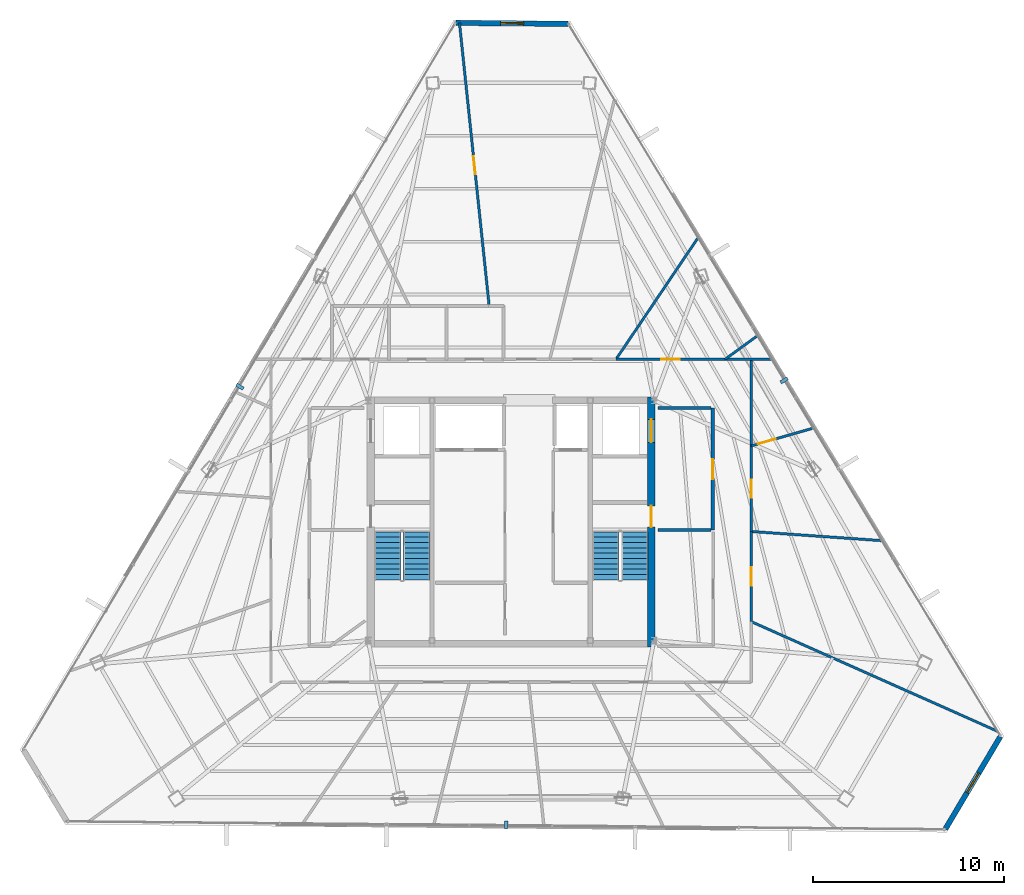
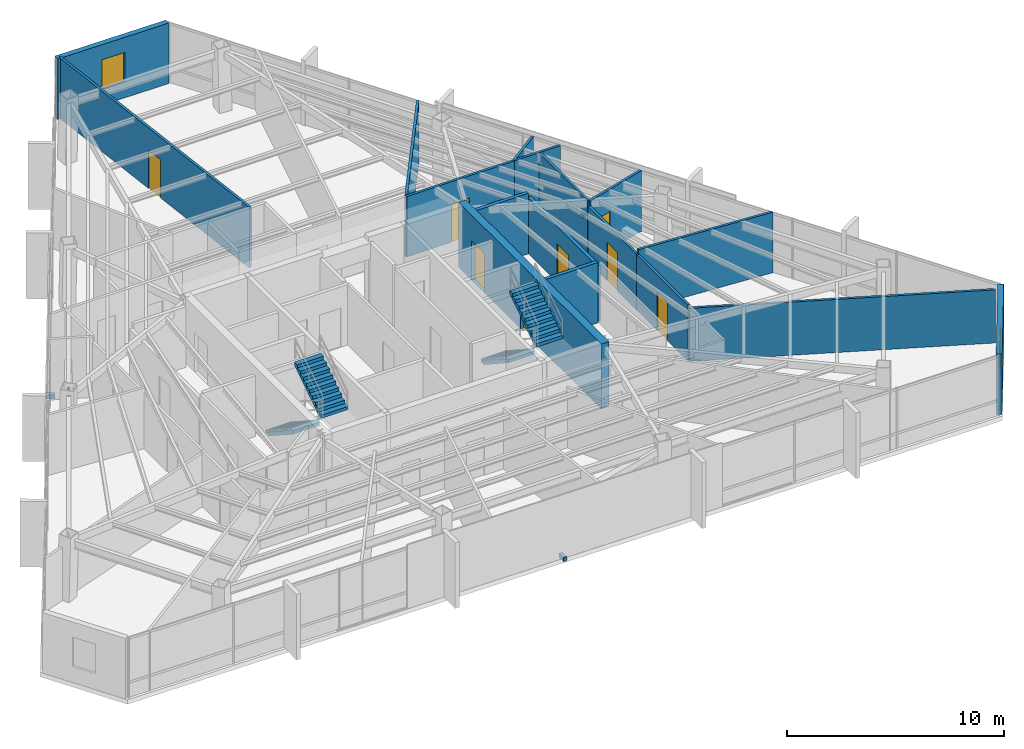
# One storey, part 39 of 42: 17 walls, 8 doors, 4 stair flights, 3 discrete accessories, 2 windows, 10 openings, 2 elements without a shape of their own.
"""IFC4 building model written with IfcOpenShell, lengths in metres."""

from ifc_helpers import new_model, si_unit, direction, frame, frame_2d, origin, origin_2d, place, context, subcontext, project, spatial, polyline, rectangle, outline, extrude, source, transform, mapped, material, layer, layer_set, type_object, type_shapes, element, fill, aggregate, save


model = new_model("IFC4")

# Units and contexts
model_context = context("Model", 3, precision=1e-05, world=origin(), true_north=direction((0.0, 1.0)))
body_context = subcontext(model_context, "Body", "Model", "MODEL_VIEW")
ifc_project = project(units=[si_unit("LENGTHUNIT", "METRE"), si_unit("AREAUNIT", "SQUARE_METRE"), si_unit("VOLUMEUNIT", "CUBIC_METRE"), si_unit("PLANEANGLEUNIT", "RADIAN"), si_unit("MASSUNIT", "GRAM", prefix="KILO")], contexts=[model_context])

# Site, building, storey
site_placement = place(None, origin())
site = spatial("IfcSite", under=ifc_project, at=site_placement, CompositionType="ELEMENT")
building_placement = place(site_placement, origin())
building = spatial("IfcBuilding", under=site, at=building_placement, Name="Caelisora Broadcast Tower", CompositionType="ELEMENT")
storey_placement = place(building_placement, frame((0.0, 0.0, 244.449951171875)))
storey = spatial("IfcBuildingStorey", under=building, at=storey_placement, Name="L64", CompositionType="ELEMENT", Elevation=244.449951171875)

# Wall, openings, doors
ifc_material_1 = material(Name="Concrete 40 MPa (AS 3600 N40)", Category="concrete")
ifc_layer_1 = layer(ifc_material_1, 0.39990234375, Name="Concrete 40 MPa (AS 3600 N40)")
ifc_layer_set_1 = layer_set([ifc_layer_1], Name="Concrete 40 MPa (AS 3600 N40)")
wall_type_1 = type_object("IfcWallType", Name="CW3", PredefinedType="SHEAR", material=ifc_layer_set_1)
wall_1_placement = place(storey_placement, frame((45.360107421875, 17.050048828125, 0.0), z_axis=(0.0, 0.0, 1.0), x_axis=(0.0, 1.0, 0.0)))
wall_1 = element("IfcWall", 1, at=wall_1_placement, inside=storey, type_object=wall_type_1, Name="L64 core shear wall CW3", PredefinedType="SHEAR", context=body_context, shape_type="SweptSolid", body=[
    extrude(rectangle(XDim=13.125, YDim=0.39990234375, at=frame_2d((6.5625, 0.0))), origin(), (0.0, 0.0, 1.0), 3.650146484375),
])
opening_1_placement = place(wall_1_placement, frame((6.300048828125, 0.0, 0.0)))
opening_1 = element("IfcOpeningElement", 2, at=opening_1_placement, cuts=wall_1, Name="Opening FD04", PredefinedType="OPENING", context=body_context, shape_type="SweptSolid", body=[
    extrude(rectangle(XDim=1.1201171875, YDim=2.14990234375, at=frame_2d((0.56005859375, 1.074951171875))), frame((0.0, 0.2119140625, 0.0), z_axis=(0.0, -1.0, 0.0), x_axis=(1.0, 0.0, 0.0)), (0.0, 0.0, 1.0), 0.423828125),
])
opening_2_placement = place(wall_1_placement, frame((10.75, 0.0, 0.0)))
opening_2 = element("IfcOpeningElement", 3, at=opening_2_placement, cuts=wall_1, Name="Opening LD04", PredefinedType="OPENING", context=body_context, shape_type="SweptSolid", body=[
    extrude(rectangle(XDim=1.199951171875, YDim=2.199951171875, at=frame_2d((0.60009765625, 1.10009765625))), frame((0.0, 0.2119140625, 0.0), z_axis=(0.0, -1.0, 0.0), x_axis=(1.0, 0.0, 0.0)), (0.0, 0.0, 1.0), 0.423828125),
])
ifc_material_2 = material(Name="Pressurised Fire-Isolated Stair Door", Category="steel")
door_type_1 = type_object("IfcDoorType", Name="FD04", OperationType="NOTDEFINED", PredefinedType="DOOR", material=ifc_material_2)
door_1_placement = place(opening_1_placement, origin())
door_1 = element("IfcDoor", 4, at=door_1_placement, inside=storey, type_object=door_type_1, Name="L64 door FD04 (L64-DR-ST2)", OperationType="SINGLE_SWING_RIGHT", OverallHeight=2.14990234375, OverallWidth=1.1201171875, PredefinedType="DOOR", context=body_context, shape_type="SweptSolid", body=[
    extrude(rectangle(XDim=1.1201171875, YDim=2.14990234375, at=frame_2d((0.56005859375, 1.074951171875))), frame((0.0, 0.02490234375, 0.0), z_axis=(0.0, -1.0, 0.0), x_axis=(1.0, 0.0, 0.0)), (0.0, 0.0, 1.0), 0.050048828125),
])
fill(opening_1, door_1)
ifc_material_3 = material(Name="Emergency Firefighting Lift Sliding Landing Door", Category="steel")
door_type_2 = type_object("IfcDoorType", Name="LD04", OperationType="NOTDEFINED", PredefinedType="DOOR", material=ifc_material_3)
door_2_placement = place(opening_2_placement, origin())
door_2 = element("IfcDoor", 5, at=door_2_placement, inside=storey, type_object=door_type_2, Name="L64 door LD04 (L64-LD-FFL2)", OperationType="SLIDING_TO_RIGHT", OverallHeight=2.199951171875, OverallWidth=1.199951171875, PredefinedType="DOOR", context=body_context, shape_type="SweptSolid", body=[
    extrude(rectangle(XDim=1.199951171875, YDim=2.199951171875, at=frame_2d((0.60009765625, 1.10009765625))), frame((0.0, 0.02490234375, 0.0), z_axis=(0.0, -1.0, 0.0), x_axis=(1.0, 0.0, 0.0)), (0.0, 0.0, 1.0), 0.050048828125),
])
fill(opening_2, door_2)

# Wall, opening, window
ifc_material_4 = material(Name="Insulated Terracotta Spandrel Wall System", Category="masonry")
ifc_layer_2 = layer(ifc_material_4, 0.280029296875, Name="Insulated Terracotta Spandrel Wall System")
ifc_layer_set_2 = layer_set([ifc_layer_2], Name="Insulated Terracotta Spandrel Wall System")
wall_type_2 = type_object("IfcWallType", Name="EW1", PredefinedType="STANDARD", material=ifc_layer_set_2)
wall_2_placement = place(storey_placement, frame((63.6748046875, 12.358154296875, 0.0), z_axis=(0.0, 0.0, 1.0), x_axis=(-0.511169585521, -0.859479874597, 0.0)))
wall_2 = element("IfcWall", 6, at=wall_2_placement, inside=storey, type_object=wall_type_2, Name="L64 exterior envelope wall EW1", PredefinedType="STANDARD", context=body_context, shape_type="SweptSolid", body=[
    extrude(rectangle(XDim=5.64111328125, YDim=0.280029296875, at=frame_2d((2.820556640625, 0.0))), origin(), (0.0, 0.0, 1.0), 3.400146484375),
])
opening_3_placement = place(wall_2_placement, frame((2.219970703125, 0.0, 0.89990234375)))
opening_3 = element("IfcOpeningElement", 7, at=opening_3_placement, cuts=wall_2, Name="Opening W03", PredefinedType="OPENING", context=body_context, shape_type="SweptSolid", body=[
    extrude(rectangle(XDim=1.199951171875, YDim=1.64990234375, at=frame_2d((0.60009765625, 0.824951171875))), frame((0.0, 0.152099609375, 0.0), z_axis=(0.0, -1.0, 0.0), x_axis=(1.0, 0.0, 0.0)), (0.0, 0.0, 1.0), 0.303955078125),
])
ifc_material_5 = material(Name="Double Glazed Corner Vision Window", Category="glass")
window_type = type_object("IfcWindowType", Name="W03", PartitioningType="SINGLE_PANEL", PredefinedType="WINDOW", material=ifc_material_5)
window_1_placement = place(opening_3_placement, origin())
window_1 = element("IfcWindow", 8, at=window_1_placement, inside=storey, type_object=window_type, Name="L64 window W03 (L64-WN-CH0)", OverallHeight=1.64990234375, OverallWidth=1.199951171875, PartitioningType="SINGLE_PANEL", PredefinedType="WINDOW", context=body_context, shape_type="SweptSolid", body=[
    extrude(rectangle(XDim=1.199951171875, YDim=1.64990234375, at=frame_2d((0.60009765625, 0.824951171875))), frame((0.0, 0.030029296875, 0.0), z_axis=(0.0, -1.0, 0.0), x_axis=(1.0, 0.0, 0.0)), (0.0, 0.0, 1.0), 0.06005859375),
])
fill(opening_3, window_1)

wall_3_placement = place(storey_placement, frame((35.111083984375, 49.809814453125, 0.0), z_axis=(0.0, 0.0, 1.0), x_axis=(0.999960059805, -0.008937493779, 0.0)))
wall_3 = element("IfcWall", 9, at=wall_3_placement, inside=storey, type_object=wall_type_2, Name="L64 exterior envelope wall EW1", PredefinedType="STANDARD", context=body_context, shape_type="SweptSolid", body=[
    extrude(rectangle(XDim=5.873046875, YDim=0.280029296875, at=frame_2d((2.9365234375, 0.0))), origin(), (0.0, 0.0, 1.0), 3.400146484375),
])
opening_4_placement = place(wall_3_placement, frame((2.340087890625, 0.0, 0.89990234375)))
opening_4 = element("IfcOpeningElement", 10, at=opening_4_placement, cuts=wall_3, Name="Opening W03", PredefinedType="OPENING", context=body_context, shape_type="SweptSolid", body=[
    extrude(rectangle(XDim=1.199951171875, YDim=1.64990234375, at=frame_2d((0.60009765625, 0.824951171875))), frame((0.0, 0.152099609375, 0.0), z_axis=(0.0, -1.0, 0.0), x_axis=(1.0, 0.0, 0.0)), (0.0, 0.0, 1.0), 0.303955078125),
])
window_2_placement = place(opening_4_placement, origin())
window_2 = element("IfcWindow", 11, at=window_2_placement, inside=storey, type_object=window_type, Name="L64 window W03 (L64-WN-CH8)", OverallHeight=1.64990234375, OverallWidth=1.199951171875, PartitioningType="SINGLE_PANEL", PredefinedType="WINDOW", context=body_context, shape_type="SweptSolid", body=[
    extrude(rectangle(XDim=1.199951171875, YDim=1.64990234375, at=frame_2d((0.60009765625, 0.824951171875))), frame((0.0, 0.030029296875, 0.0), z_axis=(0.0, -1.0, 0.0), x_axis=(1.0, 0.0, 0.0)), (0.0, 0.0, 1.0), 0.06005859375),
])
fill(opening_4, window_2)

# Wall, opening, door
ifc_material_6 = material(Name="Fire-Rated Gypsum Shaft and Compartment Wall", Category="gypsum")
ifc_layer_3 = layer(ifc_material_6, 0.179931640625, Name="Fire-Rated Gypsum Shaft and Compartment Wall")
ifc_layer_set_3 = layer_set([ifc_layer_3], Name="Fire-Rated Gypsum Shaft and Compartment Wall")
wall_type_3 = type_object("IfcWallType", Name="PW2", PredefinedType="PARTITIONING", material=ifc_layer_set_3)
wall_4_placement = place(storey_placement, frame((48.580078125, 23.199951171875, 0.0), z_axis=(0.0, 0.0, 1.0), x_axis=(0.0, 1.0, 0.0)))
wall_4 = element("IfcWall", 12, at=wall_4_placement, inside=storey, type_object=wall_type_3, Name="L64 fire compartment wall PW2", PredefinedType="PARTITIONING", context=body_context, shape_type="SweptSolid", body=[
    extrude(rectangle(XDim=6.400146484375, YDim=0.179931640625, at=frame_2d((3.2001953125, 0.0))), origin(), (0.0, 0.0, 1.0), 3.12890625),
])
opening_5_placement = place(wall_4_placement, frame((2.64990234375, 0.0, 0.0)))
opening_5 = element("IfcOpeningElement", 13, at=opening_5_placement, cuts=wall_4, Name="Opening FD02", PredefinedType="OPENING", context=body_context, shape_type="SweptSolid", body=[
    extrude(rectangle(XDim=1.050048828125, YDim=2.14990234375, at=frame_2d((0.52490234375, 1.074951171875))), frame((0.0, 0.10205078125, 0.0), z_axis=(0.0, -1.0, 0.0), x_axis=(1.0, 0.0, 0.0)), (0.0, 0.0, 1.0), 0.203857421875),
])
ifc_material_7 = material(Name="Single-Leaf Steel Fire Lobby Door", Category="steel")
door_type_3 = type_object("IfcDoorType", Name="FD02", OperationType="NOTDEFINED", PredefinedType="DOOR", material=ifc_material_7)
door_3_placement = place(opening_5_placement, origin())
door_3 = element("IfcDoor", 14, at=door_3_placement, inside=storey, type_object=door_type_3, Name="L64 door FD02 (L64-DR-P04D1)", OperationType="SINGLE_SWING_RIGHT", OverallHeight=2.14990234375, OverallWidth=1.050048828125, PredefinedType="DOOR", context=body_context, shape_type="SweptSolid", body=[
    extrude(rectangle(XDim=1.050048828125, YDim=2.14990234375, at=frame_2d((0.52490234375, 1.074951171875))), frame((0.0, 0.02490234375, 0.0), z_axis=(0.0, -1.0, 0.0), x_axis=(1.0, 0.0, 0.0)), (0.0, 0.0, 1.0), 0.050048828125),
])
fill(opening_5, door_3)

# Walls
for number, where, z_axis, x_axis, name in (
    (15, (45.719970703125, 23.199951171875, 0.0), (0.0, 0.0, 1.0), (1.0, 0.0, 0.0), "L64 fire compartment wall PW2"),
    (16, (45.719970703125, 29.60009765625, 0.0), (0.0, 0.0, 1.0), (1.0, 0.0, 0.0), "L64 fire compartment wall PW2"),
):
    element("IfcWall", number, at=place(storey_placement, frame(where, z_axis=z_axis, x_axis=x_axis)), inside=storey, type_object=wall_type_3, Name=name, PredefinedType="PARTITIONING", context=body_context, shape_type="SweptSolid", body=[
        extrude(rectangle(XDim=2.760009765625, YDim=0.179931640625, at=frame_2d((1.3798828125, 0.0))), origin(), (0.0, 0.0, 1.0), 3.400146484375),
    ])

# Wall, opening, door
ifc_material_8 = material(Name="Acoustic Steel-Stud Plasterboard Partition", Category="gypsum")
ifc_layer_4 = layer(ifc_material_8, 0.1298828125, Name="Acoustic Steel-Stud Plasterboard Partition")
ifc_layer_set_4 = layer_set([ifc_layer_4], Name="Acoustic Steel-Stud Plasterboard Partition")
wall_type_4 = type_object("IfcWallType", Name="PW3", PredefinedType="PARTITIONING", material=ifc_layer_set_4)
wall_5_placement = place(storey_placement, frame((35.2900390625, 49.813232421875, 0.0), z_axis=(0.0, 0.0, 1.0), x_axis=(0.104358123872, -0.994539784012, 0.0)))
wall_5 = element("IfcWall", 17, at=wall_5_placement, inside=storey, type_object=wall_type_4, Name="L64 internal partition PW3", PredefinedType="PARTITIONING", context=body_context, shape_type="SweptSolid", body=[
    extrude(rectangle(XDim=14.939697265625, YDim=0.1298828125, at=frame_2d((7.4697265625, 0.0))), origin(), (0.0, 0.0, 1.0), 3.400146484375),
])
opening_6_placement = place(wall_5_placement, frame((7.0390625, 0.0, 0.0)))
opening_6 = element("IfcOpeningElement", 18, at=opening_6_placement, cuts=wall_5, Name="Opening D01", PredefinedType="OPENING", context=body_context, shape_type="SweptSolid", body=[
    extrude(rectangle(XDim=0.9599609375, YDim=2.14990234375, at=frame_2d((0.47998046875, 1.074951171875))), frame((0.0, 0.076904296875, 0.0), z_axis=(0.0, -1.0, 0.0), x_axis=(1.0, 0.0, 0.0)), (0.0, 0.0, 1.0), 0.15380859375),
])
ifc_material_9 = material(Name="Solid-Core Timber Acoustic Office Door", Category="wood")
door_type_4 = type_object("IfcDoorType", Name="D01", OperationType="NOTDEFINED", PredefinedType="DOOR", material=ifc_material_9)
door_4_placement = place(opening_6_placement, origin())
door_4 = element("IfcDoor", 19, at=door_4_placement, inside=storey, type_object=door_type_4, Name="L64 door D01 (L64-DR-P26D1)", OperationType="SINGLE_SWING_LEFT", OverallHeight=2.14990234375, OverallWidth=0.9599609375, PredefinedType="DOOR", context=body_context, shape_type="SweptSolid", body=[
    extrude(rectangle(XDim=0.9599609375, YDim=2.14990234375, at=frame_2d((0.47998046875, 1.074951171875))), frame((0.0, 0.02490234375, 0.0), z_axis=(0.0, -1.0, 0.0), x_axis=(1.0, 0.0, 0.0)), (0.0, 0.0, 1.0), 0.050048828125),
])
fill(opening_6, door_4)

# Walls
wall_6_placement = place(storey_placement, frame((50.60498046875, 18.387939453125, 0.0), z_axis=(0.0, 0.0, 1.0), x_axis=(0.913601789638, -0.406610095756, 0.0)))
element("IfcWall", 20, at=wall_6_placement, inside=storey, type_object=wall_type_4, Name="L64 internal partition PW3", PredefinedType="PARTITIONING", context=body_context, shape_type="SweptSolid", body=[
    extrude(rectangle(XDim=14.167236328125, YDim=0.1298828125, at=frame_2d((7.08349609375, 0.0))), origin(), (0.0, 0.0, 1.0), 2.985107421875),
])
wall_7_placement = place(storey_placement, frame((43.5029296875, 32.154052734375, 0.0), z_axis=(0.0, 0.0, 1.0), x_axis=(0.559400582844, 0.828897453195, 0.0)))
element("IfcWall", 21, at=wall_7_placement, inside=storey, type_object=wall_type_4, Name="L64 internal partition PW3", PredefinedType="PARTITIONING", context=body_context, shape_type="SweptSolid", body=[
    extrude(rectangle(XDim=7.716552734375, YDim=0.1298828125, at=frame_2d((3.8583984375, 0.0))), origin(), (0.0, 0.0, 1.0), 3.400146484375),
])
wall_8_placement = place(storey_placement, frame((50.60498046875, 23.1201171875, 0.0), z_axis=(0.0, 0.0, 1.0), x_axis=(0.997548063957, -0.069984713305, 0.0)))
element("IfcWall", 22, at=wall_8_placement, inside=storey, type_object=wall_type_4, Name="L64 internal partition PW3", PredefinedType="PARTITIONING", context=body_context, shape_type="SweptSolid", body=[
    extrude(rectangle(XDim=6.88623046875, YDim=0.1298828125, at=frame_2d((3.443115234375, 0.0))), origin(), (0.0, 0.0, 1.0), 3.400146484375),
])

# Wall, opening, door
wall_9_placement = place(storey_placement, frame((43.5048828125, 32.14990234375, 0.0), z_axis=(0.0, 0.0, 1.0), x_axis=(1.0, 0.0, 0.0)))
wall_9 = element("IfcWall", 23, at=wall_9_placement, inside=storey, type_object=wall_type_4, Name="L64 internal partition PW3", PredefinedType="PARTITIONING", context=body_context, shape_type="SweptSolid", body=[
    extrude(rectangle(XDim=5.710205078125, YDim=0.1298828125, at=frame_2d((2.85498046875, 0.0))), origin(), (0.0, 0.0, 1.0), 3.400146484375),
])
opening_7_placement = place(wall_9_placement, frame((2.375, 0.0, 0.0)))
opening_7 = element("IfcOpeningElement", 24, at=opening_7_placement, cuts=wall_9, Name="Opening D01", PredefinedType="OPENING", context=body_context, shape_type="SweptSolid", body=[
    extrude(rectangle(XDim=0.9599609375, YDim=2.14990234375, at=frame_2d((0.47998046875, 1.074951171875))), frame((0.0, 0.076904296875, 0.0), z_axis=(0.0, -1.0, 0.0), x_axis=(1.0, 0.0, 0.0)), (0.0, 0.0, 1.0), 0.15380859375),
])
door_5_placement = place(opening_7_placement, origin())
door_5 = element("IfcDoor", 25, at=door_5_placement, inside=storey, type_object=door_type_4, Name="L64 door D01 (L64-DR-P44D1)", OperationType="SINGLE_SWING_LEFT", OverallHeight=2.14990234375, OverallWidth=0.9599609375, PredefinedType="DOOR", context=body_context, shape_type="SweptSolid", body=[
    extrude(rectangle(XDim=0.9599609375, YDim=2.14990234375, at=frame_2d((0.47998046875, 1.074951171875))), frame((0.0, 0.02490234375, 0.0), z_axis=(0.0, -1.0, 0.0), x_axis=(1.0, 0.0, 0.0)), (0.0, 0.0, 1.0), 0.050048828125),
])
fill(opening_7, door_5)

wall_10_placement = place(storey_placement, frame((50.60009765625, 18.39501953125, 0.0), z_axis=(0.0, 0.0, 1.0), x_axis=(0.0, 1.0, 0.0)))
wall_10 = element("IfcWall", 26, at=wall_10_placement, inside=storey, type_object=wall_type_4, Name="L64 internal partition PW3", PredefinedType="PARTITIONING", context=body_context, shape_type="SweptSolid", body=[
    extrude(rectangle(XDim=4.719970703125, YDim=0.1298828125, at=frame_2d((2.35986328125, 0.0))), origin(), (0.0, 0.0, 1.0), 3.12890625),
])
opening_8_placement = place(wall_10_placement, frame((1.8798828125, 0.0, 0.0)))
opening_8 = element("IfcOpeningElement", 27, at=opening_8_placement, cuts=wall_10, Name="Opening D01", PredefinedType="OPENING", context=body_context, shape_type="SweptSolid", body=[
    extrude(rectangle(XDim=0.9599609375, YDim=2.14990234375, at=frame_2d((0.47998046875, 1.074951171875))), frame((0.0, 0.076904296875, 0.0), z_axis=(0.0, -1.0, 0.0), x_axis=(1.0, 0.0, 0.0)), (0.0, 0.0, 1.0), 0.15380859375),
])
door_6_placement = place(opening_8_placement, origin())
door_6 = element("IfcDoor", 28, at=door_6_placement, inside=storey, type_object=door_type_4, Name="L64 door D01 (L64-DR-P48D1)", OperationType="SINGLE_SWING_RIGHT", OverallHeight=2.14990234375, OverallWidth=0.9599609375, PredefinedType="DOOR", context=body_context, shape_type="SweptSolid", body=[
    extrude(rectangle(XDim=0.9599609375, YDim=2.14990234375, at=frame_2d((0.47998046875, 1.074951171875))), frame((0.0, 0.02490234375, 0.0), z_axis=(0.0, -1.0, 0.0), x_axis=(1.0, 0.0, 0.0)), (0.0, 0.0, 1.0), 0.050048828125),
])
fill(opening_8, door_6)

# Wall
wall_11_placement = place(storey_placement, frame((50.60009765625, 27.614990234375, 0.0), z_axis=(0.0, 0.0, 1.0), x_axis=(0.0, 1.0, 0.0)))
element("IfcWall", 29, at=wall_11_placement, inside=storey, type_object=wall_type_4, Name="L64 internal partition PW3", PredefinedType="PARTITIONING", context=body_context, shape_type="SweptSolid", body=[
    extrude(rectangle(XDim=4.530029296875, YDim=0.1298828125, at=frame_2d((2.26513671875, 0.0))), origin(), (0.0, 0.0, 1.0), 3.400146484375),
])

# Wall, opening, door
wall_12_placement = place(storey_placement, frame((50.60009765625, 23.125, 0.0), z_axis=(0.0, 0.0, 1.0), x_axis=(0.0, 1.0, 0.0)))
wall_12 = element("IfcWall", 30, at=wall_12_placement, inside=storey, type_object=wall_type_4, Name="L64 internal partition PW3", PredefinedType="PARTITIONING", context=body_context, shape_type="SweptSolid", body=[
    extrude(rectangle(XDim=4.47998046875, YDim=0.1298828125, at=frame_2d((2.239990234375, 0.0))), origin(), (0.0, 0.0, 1.0), 3.12890625),
])
opening_9_placement = place(wall_12_placement, frame((1.760009765625, 0.0, 0.0)))
opening_9 = element("IfcOpeningElement", 31, at=opening_9_placement, cuts=wall_12, Name="Opening D01", PredefinedType="OPENING", context=body_context, shape_type="SweptSolid", body=[
    extrude(rectangle(XDim=0.9599609375, YDim=2.14990234375, at=frame_2d((0.47998046875, 1.074951171875))), frame((0.0, 0.076904296875, 0.0), z_axis=(0.0, -1.0, 0.0), x_axis=(1.0, 0.0, 0.0)), (0.0, 0.0, 1.0), 0.15380859375),
])
door_7_placement = place(opening_9_placement, origin())
door_7 = element("IfcDoor", 32, at=door_7_placement, inside=storey, type_object=door_type_4, Name="L64 door D01 (L64-DR-P51D1)", OperationType="SINGLE_SWING_RIGHT", OverallHeight=2.14990234375, OverallWidth=0.9599609375, PredefinedType="DOOR", context=body_context, shape_type="SweptSolid", body=[
    extrude(rectangle(XDim=0.9599609375, YDim=2.14990234375, at=frame_2d((0.47998046875, 1.074951171875))), frame((0.0, 0.02490234375, 0.0), z_axis=(0.0, -1.0, 0.0), x_axis=(1.0, 0.0, 0.0)), (0.0, 0.0, 1.0), 0.050048828125),
])
fill(opening_9, door_7)

wall_13_placement = place(storey_placement, frame((50.60498046875, 27.611083984375, 0.0), z_axis=(0.0, 0.0, 1.0), x_axis=(0.961166831794, 0.275967971799, 0.0)))
wall_13 = element("IfcWall", 33, at=wall_13_placement, inside=storey, type_object=wall_type_4, Name="L64 internal partition PW3", PredefinedType="PARTITIONING", context=body_context, shape_type="SweptSolid", body=[
    extrude(rectangle(XDim=3.4130859375, YDim=0.1298828125, at=frame_2d((1.70654296875, 0.0))), origin(), (0.0, 0.0, 1.0), 3.400146484375),
])
opening_10_placement = place(wall_13_placement, frame((0.360107421875, 0.0, 0.0)))
opening_10 = element("IfcOpeningElement", 34, at=opening_10_placement, cuts=wall_13, Name="Opening D01", PredefinedType="OPENING", context=body_context, shape_type="SweptSolid", body=[
    extrude(rectangle(XDim=0.9599609375, YDim=2.14990234375, at=frame_2d((0.47998046875, 1.074951171875))), frame((0.0, 0.076904296875, 0.0), z_axis=(0.0, -1.0, 0.0), x_axis=(1.0, 0.0, 0.0)), (0.0, 0.0, 1.0), 0.15380859375),
])
door_8_placement = place(opening_10_placement, origin())
door_8 = element("IfcDoor", 35, at=door_8_placement, inside=storey, type_object=door_type_4, Name="L64 door D01 (L64-DR-P54D1)", OperationType="SINGLE_SWING_LEFT", OverallHeight=2.14990234375, OverallWidth=0.9599609375, PredefinedType="DOOR", context=body_context, shape_type="SweptSolid", body=[
    extrude(rectangle(XDim=0.9599609375, YDim=2.14990234375, at=frame_2d((0.47998046875, 1.074951171875))), frame((0.0, 0.02490234375, 0.0), z_axis=(0.0, -1.0, 0.0), x_axis=(1.0, 0.0, 0.0)), (0.0, 0.0, 1.0), 0.050048828125),
])
fill(opening_10, door_8)

# Walls
wall_14_placement = place(storey_placement, frame((49.22412109375, 32.153076171875, 0.0), z_axis=(0.0, 0.0, 1.0), x_axis=(0.808547261768, 0.588431241088, 0.0)))
element("IfcWall", 36, at=wall_14_placement, inside=storey, type_object=wall_type_4, Name="L64 internal partition PW3", PredefinedType="PARTITIONING", context=body_context, shape_type="SweptSolid", body=[
    extrude(rectangle(XDim=2.125244140625, YDim=0.1298828125, at=frame_2d((1.0625, 0.0))), origin(), (0.0, 0.0, 1.0), 3.400146484375),
])
wall_15_placement = place(storey_placement, frame((51.677001953125, 32.14990234375, 0.0), z_axis=(0.0, 0.0, 1.0), x_axis=(-1.0, 0.0, 0.0)))
element("IfcWall", 37, at=wall_15_placement, inside=storey, type_object=wall_type_4, Name="L64 internal partition PW3", PredefinedType="PARTITIONING", context=body_context, shape_type="SweptSolid", body=[
    extrude(rectangle(XDim=2.451904296875, YDim=0.1298828125, at=frame_2d((1.22607421875, 0.0))), origin(), (0.0, 0.0, 1.0), 3.400146484375),
])

# Stair, stair flights
stair_type_1 = type_object("IfcStairType", Name="ST-1", PredefinedType="HALF_TURN_STAIR", material=ifc_material_1)
stair_1_placement = place(storey_placement, origin())
stair_1 = element("IfcStair", 38, at=stair_1_placement, inside=storey, type_object=stair_type_1, Name="L64 West Fire-Isolated Tower Stair", PredefinedType="HALF_TURN_STAIR")
stair_flight_type = type_object("IfcStairFlightType", Name="STF-4", PredefinedType="STRAIGHT", material=ifc_material_1)
stair_flight_1_placement = place(storey_placement, frame((31.52001953125, 23.10009765625, 0.0), z_axis=(0.0, 0.0, 1.0), x_axis=(0.0, -1.0, 0.0)))
stair_flight_1 = element("IfcStairFlight", 39, at=stair_flight_1_placement, type_object=stair_flight_type, Name="ST-1 flight 1", NumberOfRisers=10, NumberOfTreads=9, PredefinedType="STRAIGHT", RiserHeight=0.1825, TreadLength=0.28, context=body_context, shape_type="SweptSolid", body=[
    extrude(outline(polyline([(0.0, 0.0), (0.0, 0.1826171875), (0.280029296875, 0.1826171875), (0.280029296875, 0.364990234375), (0.56005859375, 0.364990234375), (0.56005859375, 0.547607421875), (0.840087890625, 0.547607421875), (0.840087890625, 0.72998046875), (1.1201171875, 0.72998046875), (1.1201171875, 0.91259765625), (1.39990234375, 0.91259765625), (1.39990234375, 1.094970703125), (1.679931640625, 1.094970703125), (1.679931640625, 1.277587890625), (1.9599609375, 1.277587890625), (1.9599609375, 1.4599609375), (2.239990234375, 1.4599609375), (2.239990234375, 1.642578125), (2.52001953125, 1.642578125), (2.52001953125, 1.824951171875), (2.52001953125, 1.463623046875), (0.2744140625, 0.0), (0.0, 0.0)])), frame((0.0, 0.699951171875, 0.0), z_axis=(0.0, -1.0, 0.0), x_axis=(1.0, 0.0, 0.0)), (0.0, 0.0, 1.0), 1.39990234375),
])
stair_flight_2_placement = place(storey_placement, frame((33.0400390625, 20.580078125, 1.824951171875), z_axis=(0.0, 0.0, 1.0), x_axis=(0.0, 1.0, 0.0)))
stair_flight_2 = element("IfcStairFlight", 40, at=stair_flight_2_placement, type_object=stair_flight_type, Name="ST-1 flight 2", NumberOfRisers=10, NumberOfTreads=9, PredefinedType="STRAIGHT", RiserHeight=0.1825, TreadLength=0.28, context=body_context, shape_type="SweptSolid", body=[
    extrude(outline(polyline([(0.0, 0.0), (0.0, 0.1826171875), (0.280029296875, 0.1826171875), (0.280029296875, 0.364990234375), (0.56005859375, 0.364990234375), (0.56005859375, 0.547607421875), (0.840087890625, 0.547607421875), (0.840087890625, 0.72998046875), (1.1201171875, 0.72998046875), (1.1201171875, 0.91259765625), (1.39990234375, 0.91259765625), (1.39990234375, 1.094970703125), (1.679931640625, 1.094970703125), (1.679931640625, 1.277587890625), (1.9599609375, 1.277587890625), (1.9599609375, 1.4599609375), (2.239990234375, 1.4599609375), (2.239990234375, 1.642578125), (2.52001953125, 1.642578125), (2.52001953125, 1.824951171875), (2.52001953125, 1.463623046875), (0.2744140625, 0.0), (0.0, 0.0)])), frame((0.0, 0.699951171875, 0.0), z_axis=(0.0, -1.0, 0.0), x_axis=(1.0, 0.0, 0.0)), (0.0, 0.0, 1.0), 1.39990234375),
])
aggregate(stair_1, [stair_flight_1, stair_flight_2])

stair_type_2 = type_object("IfcStairType", Name="ST-2", PredefinedType="HALF_TURN_STAIR", material=ifc_material_1)
stair_2_placement = place(storey_placement, origin())
stair_2 = element("IfcStair", 41, at=stair_2_placement, inside=storey, type_object=stair_type_2, Name="L64 East Fire-Isolated Tower Stair", PredefinedType="HALF_TURN_STAIR")
stair_flight_3_placement = place(storey_placement, frame((42.9599609375, 23.10009765625, 0.0), z_axis=(0.0, 0.0, 1.0), x_axis=(0.0, -1.0, 0.0)))
stair_flight_3 = element("IfcStairFlight", 42, at=stair_flight_3_placement, type_object=stair_flight_type, Name="ST-2 flight 1", NumberOfRisers=10, NumberOfTreads=9, PredefinedType="STRAIGHT", RiserHeight=0.1825, TreadLength=0.28, context=body_context, shape_type="SweptSolid", body=[
    extrude(outline(polyline([(0.0, 0.0), (0.0, 0.1826171875), (0.280029296875, 0.1826171875), (0.280029296875, 0.364990234375), (0.56005859375, 0.364990234375), (0.56005859375, 0.547607421875), (0.840087890625, 0.547607421875), (0.840087890625, 0.72998046875), (1.1201171875, 0.72998046875), (1.1201171875, 0.91259765625), (1.39990234375, 0.91259765625), (1.39990234375, 1.094970703125), (1.679931640625, 1.094970703125), (1.679931640625, 1.277587890625), (1.9599609375, 1.277587890625), (1.9599609375, 1.4599609375), (2.239990234375, 1.4599609375), (2.239990234375, 1.642578125), (2.52001953125, 1.642578125), (2.52001953125, 1.824951171875), (2.52001953125, 1.463623046875), (0.2744140625, 0.0), (0.0, 0.0)])), frame((0.0, 0.699951171875, 0.0), z_axis=(0.0, -1.0, 0.0), x_axis=(1.0, 0.0, 0.0)), (0.0, 0.0, 1.0), 1.39990234375),
])
stair_flight_4_placement = place(storey_placement, frame((44.47998046875, 20.580078125, 1.824951171875), z_axis=(0.0, 0.0, 1.0), x_axis=(0.0, 1.0, 0.0)))
stair_flight_4 = element("IfcStairFlight", 43, at=stair_flight_4_placement, type_object=stair_flight_type, Name="ST-2 flight 2", NumberOfRisers=10, NumberOfTreads=9, PredefinedType="STRAIGHT", RiserHeight=0.1825, TreadLength=0.28, context=body_context, shape_type="SweptSolid", body=[
    extrude(outline(polyline([(0.0, 0.0), (0.0, 0.1826171875), (0.280029296875, 0.1826171875), (0.280029296875, 0.364990234375), (0.56005859375, 0.364990234375), (0.56005859375, 0.547607421875), (0.840087890625, 0.547607421875), (0.840087890625, 0.72998046875), (1.1201171875, 0.72998046875), (1.1201171875, 0.91259765625), (1.39990234375, 0.91259765625), (1.39990234375, 1.094970703125), (1.679931640625, 1.094970703125), (1.679931640625, 1.277587890625), (1.9599609375, 1.277587890625), (1.9599609375, 1.4599609375), (2.239990234375, 1.4599609375), (2.239990234375, 1.642578125), (2.52001953125, 1.642578125), (2.52001953125, 1.824951171875), (2.52001953125, 1.463623046875), (0.2744140625, 0.0), (0.0, 0.0)])), frame((0.0, 0.699951171875, 0.0), z_axis=(0.0, -1.0, 0.0), x_axis=(1.0, 0.0, 0.0)), (0.0, 0.0, 1.0), 1.39990234375),
])
aggregate(stair_2, [stair_flight_3, stair_flight_4])

# Discrete accessories
ifc_material_10 = material(Name="Steel Grade 350 (AS/NZS 3679.1)", Category="steel")
discrete_accessory_type = type_object("IfcDiscreteAccessoryType", Name="BRK-1", PredefinedType="BRACKET", material=ifc_material_10)
shared_shape = source(origin(), body_context, "Body", "SweptSolid", [
    extrude(rectangle(XDim=0.179931640625, YDim=0.419921875, at=origin_2d()), origin(), (0.0, 0.0, 1.0), 0.219970703125),
])
type_shapes(discrete_accessory_type, [shared_shape])
for number, where, z_axis, x_axis, name in (
    (44, (23.76708984375, 30.720458984375, -0.16015625), (0.0, 0.0, 1.0), (-0.510993065504, -0.859584834096, 0.0), "L64 solar screen outrigger bracket #1"),
    (45, (37.734130859375, 7.721435546875, -0.16015625), (0.0, 0.0, 1.0), (0.999958816008, -0.009075587519, 0.0), "L64 solar screen outrigger bracket #2"),
    (46, (52.328125, 31.052001953125, -0.16015625), (0.0, 0.0, 1.0), (-0.518773258161, 0.854911870673, 0.0), "L64 solar screen outrigger bracket #3"),
):
    element("IfcDiscreteAccessory", number, at=place(storey_placement, frame(where, z_axis=z_axis, x_axis=x_axis)), inside=storey, type_object=discrete_accessory_type, Name=name, PredefinedType="BRACKET", context=body_context, shape_type="MappedRepresentation", body=[
        mapped(shared_shape, transform((0.0, 0.0, 0.0), scale=1.0)),
    ])

save(model, "model.ifc")
